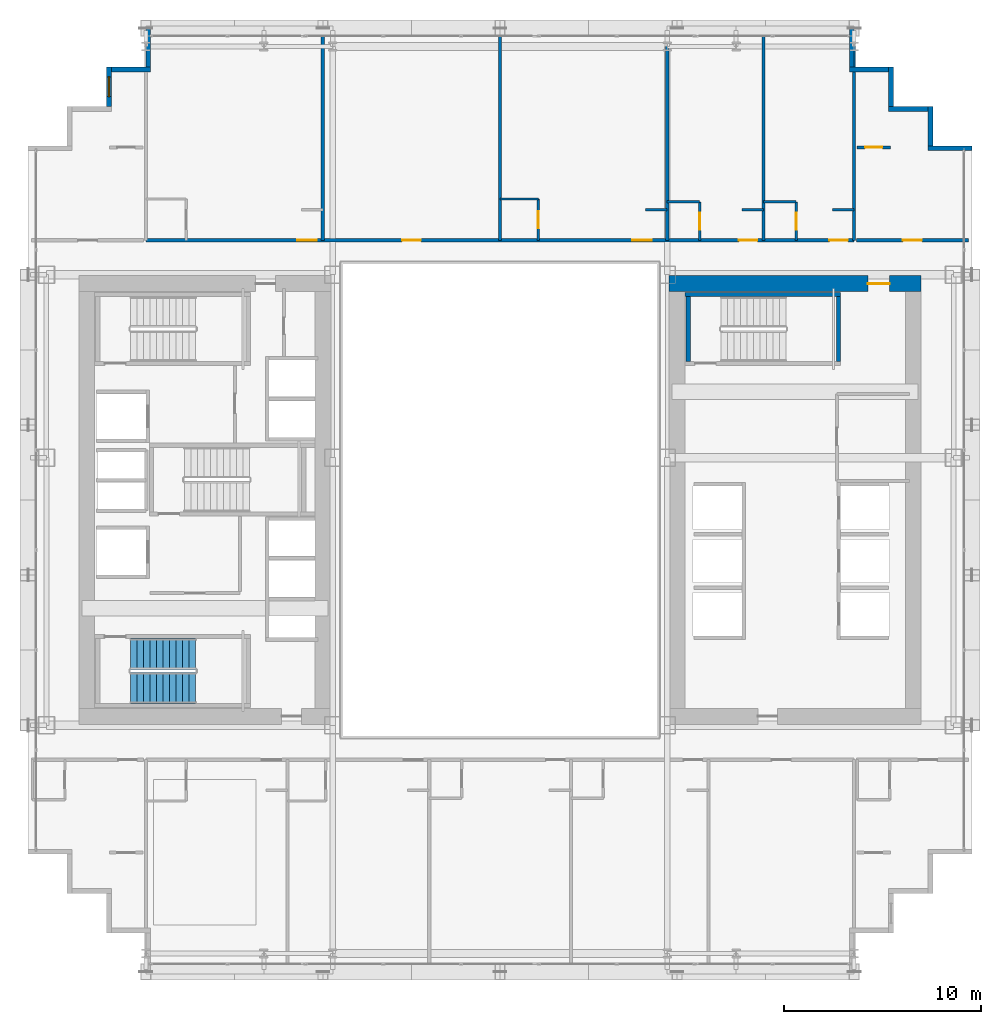
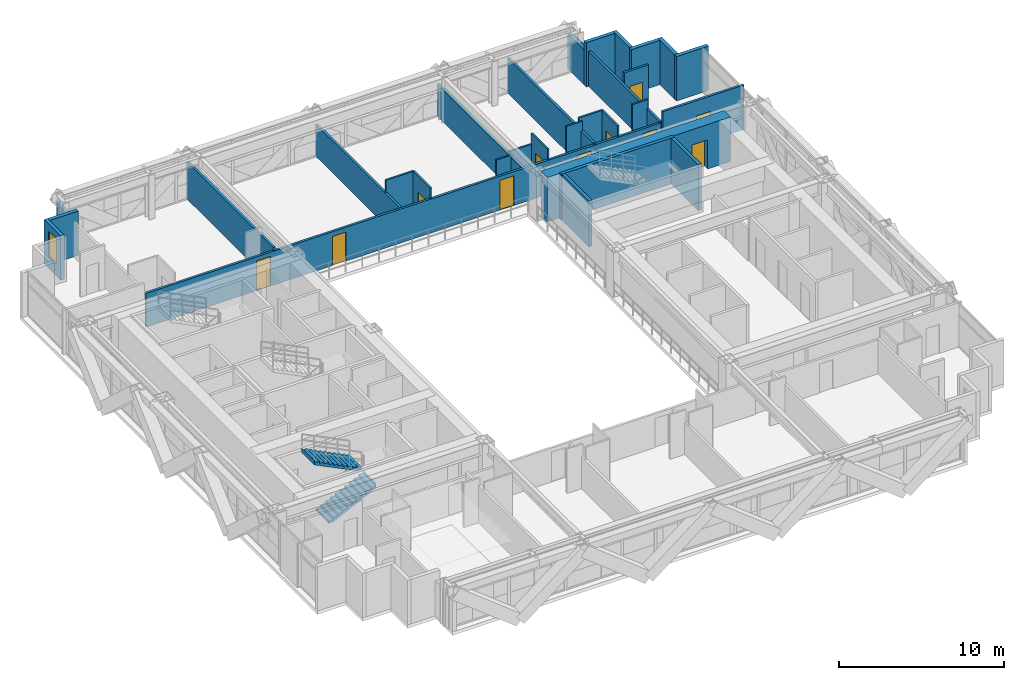
# One storey, part 30 of 35: 30 walls, 11 doors, 2 stair flights, 1 window, 12 openings, 1 element without a shape of its own.
"""IFC4 building model written with IfcOpenShell, lengths in metres."""

from ifc_helpers import new_model, si_unit, direction, frame, frame_2d, origin, place, context, subcontext, project, spatial, polyline, rectangle, outline, extrude, source, transform, mapped, material, layer, layer_set, type_object, element, fill, aggregate, save


model = new_model("IFC4")

# Units and contexts
model_context = context("Model", 3, precision=1e-05, world=origin(), true_north=direction((0.0, 1.0)))
body_context = subcontext(model_context, "Body", "Model", "MODEL_VIEW")
ifc_project = project(units=[si_unit("LENGTHUNIT", "METRE"), si_unit("AREAUNIT", "SQUARE_METRE"), si_unit("VOLUMEUNIT", "CUBIC_METRE"), si_unit("PLANEANGLEUNIT", "RADIAN"), si_unit("MASSUNIT", "GRAM", prefix="KILO")], contexts=[model_context])

# Site, building, storey
site_placement = place(None, origin())
site = spatial("IfcSite", under=ifc_project, at=site_placement, CompositionType="ELEMENT")
building_placement = place(site_placement, origin())
building = spatial("IfcBuilding", under=site, at=building_placement, Name="Ocotamira Hotel", CompositionType="ELEMENT")
storey_placement = place(building_placement, frame((0.0, 0.0, 81.60009765625)))
storey = spatial("IfcBuildingStorey", under=building, at=storey_placement, Name="L20", CompositionType="ELEMENT", Elevation=81.60009765625)

# Wall, opening, door
ifc_material_1 = material(Name="Concrete C60/75", Category="concrete")
ifc_layer_1 = layer(ifc_material_1, 0.800048828125)
ifc_layer_set_1 = layer_set([ifc_layer_1], Name="Concrete C60/75")
wall_type_1 = type_object("IfcWallType", Name="WL-CORE-800", PredefinedType="SHEAR", material=ifc_layer_set_1)
wall_1_placement = place(storey_placement, frame((40.60009765625, 37.0, 0.0), z_axis=(0.0, 0.0, 1.0), x_axis=(1.0, 0.0, 0.0)))
wall_1 = element("IfcWall", 1, at=wall_1_placement, inside=storey, type_object=wall_type_1, Name="L20 Shear Core Wall ECORE-N", PredefinedType="SHEAR", context=body_context, shape_type="SweptSolid", body=[
    extrude(rectangle(XDim=12.7998046875, YDim=0.800048828125, at=frame_2d((6.39990234375, 0.0))), origin(), (0.0, 0.0, 1.0), 3.27978515625),
])
opening_1_placement = place(wall_1_placement, frame((10.10009765625, 0.0, 0.0)))
opening_1 = element("IfcOpeningElement", 2, at=opening_1_placement, cuts=wall_1, Name="Opening D-FR1", PredefinedType="OPENING", context=body_context, shape_type="SweptSolid", body=[
    extrude(rectangle(XDim=1.10009765625, YDim=2.14990234375, at=frame_2d((0.550048828125, 1.074951171875))), frame((0.0, 0.41015625, 0.0), z_axis=(0.0, -1.0, 0.0), x_axis=(1.0, 0.0, 0.0)), (0.0, 0.0, 1.0), 0.820068359375),
])
ifc_material_2 = material(Name="Fire-rated acoustic timber-veneer door", Category="wood")
door_type_1 = type_object("IfcDoorType", Name="DR-FIRE-1100", OperationType="NOTDEFINED", PredefinedType="DOOR", material=ifc_material_2)
shared_shape_1 = source(origin(), body_context, "Body", "SweptSolid", [
    extrude(rectangle(XDim=1.10009765625, YDim=2.14990234375, at=frame_2d((0.550048828125, 1.074951171875))), frame((0.0, 0.02490234375, 0.0), z_axis=(0.0, -1.0, 0.0), x_axis=(1.0, 0.0, 0.0)), (0.0, 0.0, 1.0), 0.050048828125),
])
door_1_placement = place(opening_1_placement, origin())
door_1 = element("IfcDoor", 3, at=door_1_placement, inside=storey, type_object=door_type_1, Name="L20 Door ID-L20-ELOB-N-D [ID-L20-ELOB-N-D]", OperationType="SINGLE_SWING_LEFT", OverallHeight=2.14990234375, OverallWidth=1.10009765625, PredefinedType="DOOR", context=body_context, shape_type="MappedRepresentation", body=[
    mapped(shared_shape_1, transform((0.0, 0.0, 0.0), scale=1.0)),
])
fill(opening_1, door_1)

# Walls
ifc_material_3 = material(Name="Precast concrete C45/55", Category="concrete")
ifc_layer_2 = layer(ifc_material_3, 0.25)
ifc_layer_set_2 = layer_set([ifc_layer_2], Name="Precast concrete C45/55")
wall_type_2 = type_object("IfcWallType", Name="WL-EXT-SER-250", PredefinedType="SOLIDWALL", material=ifc_layer_set_2)
wall_2_placement = place(storey_placement, frame((56.0, 43.875, 0.0), z_axis=(0.0, 0.0, 1.0), x_axis=(-1.0, 0.0, 0.0)))
element("IfcWall", 4, at=wall_2_placement, inside=storey, type_object=wall_type_2, Name="L20 Serrated Corner Wall 07", PredefinedType="SOLIDWALL", context=body_context, shape_type="SweptSolid", body=[
    extrude(rectangle(XDim=2.25, YDim=0.25, at=frame_2d((1.125, 0.0))), origin(), (0.0, 0.0, 1.0), 3.27978515625),
])
for number, where, z_axis, x_axis, name in (
    (5, (53.875, 44.0, 0.0), (0.0, 0.0, 1.0), (0.0, 1.0, 0.0), "L20 Serrated Corner Wall 08"),
    (6, (53.75, 45.875, 0.0), (0.0, 0.0, 1.0), (-1.0, 0.0, 0.0), "L20 Serrated Corner Wall 09"),
    (7, (51.875, 46.0, 0.0), (0.0, 0.0, 1.0), (0.0, 1.0, 0.0), "L20 Serrated Corner Wall 10"),
    (8, (51.75, 47.875, 0.0), (0.0, 0.0, 1.0), (-1.0, 0.0, 0.0), "L20 Serrated Corner Wall 11"),
):
    element("IfcWall", number, at=place(storey_placement, frame(where, z_axis=z_axis, x_axis=x_axis)), inside=storey, type_object=wall_type_2, Name=name, PredefinedType="SOLIDWALL", context=body_context, shape_type="SweptSolid", body=[
        extrude(rectangle(XDim=2.0, YDim=0.25, at=frame_2d((1.0, 0.0))), origin(), (0.0, 0.0, 1.0), 3.27978515625),
    ])
for number, where, z_axis, x_axis, name in (
    (9, (49.875, 48.0, 0.0), (0.0, 0.0, 1.0), (0.0, 1.0, 0.0), "L20 Serrated Corner Wall 12"),
    (10, (14.125, 50.0, 0.0), (0.0, 0.0, 1.0), (0.0, -1.0, 0.0), "L20 Serrated Corner Wall 13"),
):
    element("IfcWall", number, at=place(storey_placement, frame(where, z_axis=z_axis, x_axis=x_axis)), inside=storey, type_object=wall_type_2, Name=name, PredefinedType="SOLIDWALL", context=body_context, shape_type="SweptSolid", body=[
        extrude(rectangle(XDim=2.0, YDim=0.25, at=frame_2d((1.0, 0.0))), origin(), (0.0, 0.0, 1.0), 2.5869140625),
    ])
wall_3_placement = place(storey_placement, frame((14.25, 47.875, 0.0), z_axis=(0.0, 0.0, 1.0), x_axis=(-1.0, 0.0, 0.0)))
element("IfcWall", 11, at=wall_3_placement, inside=storey, type_object=wall_type_2, Name="L20 Serrated Corner Wall 14", PredefinedType="SOLIDWALL", context=body_context, shape_type="SweptSolid", body=[
    extrude(rectangle(XDim=2.0, YDim=0.25, at=frame_2d((1.0, 0.0))), origin(), (0.0, 0.0, 1.0), 3.27978515625),
])

# Wall, opening, window
wall_4_placement = place(storey_placement, frame((12.125, 48.0, 0.0), z_axis=(0.0, 0.0, 1.0), x_axis=(0.0, -1.0, 0.0)))
wall_4 = element("IfcWall", 12, at=wall_4_placement, inside=storey, type_object=wall_type_2, Name="L20 Serrated Corner Wall 15", PredefinedType="SOLIDWALL", context=body_context, shape_type="SweptSolid", body=[
    extrude(rectangle(XDim=2.0, YDim=0.25, at=frame_2d((1.0, 0.0))), origin(), (0.0, 0.0, 1.0), 3.27978515625),
])
opening_2_placement = place(wall_4_placement, frame((0.5, 0.0, 0.85009765625)))
opening_2 = element("IfcOpeningElement", 13, at=opening_2_placement, cuts=wall_4, Name="Opening WN-2", PredefinedType="OPENING", context=body_context, shape_type="SweptSolid", body=[
    extrude(rectangle(XDim=1.0, YDim=1.89990234375, at=frame_2d((0.5, 0.949951171875))), frame((0.0, 0.135009765625, 0.0), z_axis=(0.0, -1.0, 0.0), x_axis=(1.0, 0.0, 0.0)), (0.0, 0.0, 1.0), 0.27001953125),
])
ifc_material_4 = material(Name="Double-silver low-E solar glass", Category="glass")
window_type = type_object("IfcWindowType", Name="WIN-SER-1100", PartitioningType="SINGLE_PANEL", PredefinedType="WINDOW", material=ifc_material_4)
shared_shape_2 = source(origin(), body_context, "Body", "SweptSolid", [
    extrude(rectangle(XDim=1.0, YDim=1.89990234375, at=frame_2d((0.5, 0.949951171875))), frame((0.0, 0.030029296875, 0.0), z_axis=(0.0, -1.0, 0.0), x_axis=(1.0, 0.0, 0.0)), (0.0, 0.0, 1.0), 0.06005859375),
])
window_placement = place(opening_2_placement, origin())
window = element("IfcWindow", 14, at=window_placement, inside=storey, type_object=window_type, Name="L20 Serrated Corner Window 15", OverallHeight=1.89990234375, OverallWidth=1.0, PartitioningType="SINGLE_PANEL", PredefinedType="WINDOW", context=body_context, shape_type="MappedRepresentation", body=[
    mapped(shared_shape_2, transform((0.0, 0.0, 0.0), scale=1.0)),
])
fill(opening_2, window)

# Wall, opening, door
ifc_material_5 = material(Name="Acoustic double-layer fire gypsum board partition", Category="gypsum")
ifc_layer_3 = layer(ifc_material_5, 0.159912109375)
ifc_layer_set_3 = layer_set([ifc_layer_3], Name="Acoustic double-layer fire gypsum board partition")
wall_type_3 = type_object("IfcWallType", Name="WL-FIRE-160", PredefinedType="PARTITIONING", material=ifc_layer_set_3)
wall_5_placement = place(storey_placement, frame((50.1201171875, 39.199951171875, 0.0), z_axis=(0.0, 0.0, 1.0), x_axis=(1.0, 0.0, 0.0)))
wall_5 = element("IfcWall", 15, at=wall_5_placement, inside=storey, type_object=wall_type_3, Name="L20 Interior Wall PW-L20-Z1E-CNE-CW", PredefinedType="PARTITIONING", context=body_context, shape_type="SweptSolid", body=[
    extrude(rectangle(XDim=5.679931640625, YDim=0.159912109375, at=frame_2d((2.83984375, 0.0))), origin(), (0.0, 0.0, 1.0), 3.27978515625),
])
opening_3_placement = place(wall_5_placement, frame((2.360107421875, 0.0, 0.0)))
opening_3 = element("IfcOpeningElement", 16, at=opening_3_placement, cuts=wall_5, Name="Opening D-SV4", PredefinedType="OPENING", context=body_context, shape_type="SweptSolid", body=[
    extrude(rectangle(XDim=0.9599609375, YDim=2.14990234375, at=frame_2d((0.47998046875, 1.074951171875))), frame((0.0, 0.08984375, 0.0), z_axis=(0.0, -1.0, 0.0), x_axis=(1.0, 0.0, 0.0)), (0.0, 0.0, 1.0), 0.179931640625),
])
ifc_material_6 = material(Name="Fire-rated accessible walnut salon door", Category="wood")
door_type_2 = type_object("IfcDoorType", Name="DR-SERV-960", OperationType="NOTDEFINED", PredefinedType="DOOR", material=ifc_material_6)
shared_shape_3 = source(origin(), body_context, "Body", "SweptSolid", [
    extrude(rectangle(XDim=0.9599609375, YDim=2.14990234375, at=frame_2d((0.47998046875, 1.074951171875))), frame((0.0, 0.02490234375, 0.0), z_axis=(0.0, -1.0, 0.0), x_axis=(1.0, 0.0, 0.0)), (0.0, 0.0, 1.0), 0.050048828125),
])
door_2_placement = place(opening_3_placement, origin())
door_2 = element("IfcDoor", 17, at=door_2_placement, inside=storey, type_object=door_type_2, Name="L20 Door ID-L20-Z1E-CNE-CD [ID-L20-Z1E-CNE-CD]", OperationType="SINGLE_SWING_LEFT", OverallHeight=2.14990234375, OverallWidth=0.9599609375, PredefinedType="DOOR", context=body_context, shape_type="MappedRepresentation", body=[
    mapped(shared_shape_3, transform((0.0, 0.0, 0.0), scale=1.0)),
])
fill(opening_3, door_2)

wall_6_placement = place(storey_placement, frame((50.14990234375, 43.919921875, 0.0), z_axis=(0.0, 0.0, 1.0), x_axis=(1.0, 0.0, 0.0)))
wall_6 = element("IfcWall", 18, at=wall_6_placement, inside=storey, type_object=wall_type_3, Name="L20 Interior Wall PW-L20-Z1E-CNE2-CW", PredefinedType="PARTITIONING", context=body_context, shape_type="SweptSolid", body=[
    extrude(rectangle(XDim=1.7001953125, YDim=0.159912109375, at=frame_2d((0.85009765625, 0.0))), origin(), (0.0, 0.0, 1.0), 3.27978515625),
])
opening_4_placement = place(wall_6_placement, frame((0.409912109375, 0.0, 0.0)))
opening_4 = element("IfcOpeningElement", 19, at=opening_4_placement, cuts=wall_6, Name="Opening D-SV2", PredefinedType="OPENING", context=body_context, shape_type="SweptSolid", body=[
    extrude(rectangle(XDim=0.8798828125, YDim=2.14990234375, at=frame_2d((0.43994140625, 1.074951171875))), frame((0.0, 0.08984375, 0.0), z_axis=(0.0, -1.0, 0.0), x_axis=(1.0, 0.0, 0.0)), (0.0, 0.0, 1.0), 0.179931640625),
])
ifc_material_7 = material(Name="Fire-rated painted steel service door", Category="steel")
door_type_3 = type_object("IfcDoorType", Name="DR-SERV-880", OperationType="NOTDEFINED", PredefinedType="DOOR", material=ifc_material_7)
shared_shape_4 = source(origin(), body_context, "Body", "SweptSolid", [
    extrude(rectangle(XDim=0.8798828125, YDim=2.14990234375, at=frame_2d((0.43994140625, 1.074951171875))), frame((0.0, 0.02490234375, 0.0), z_axis=(0.0, -1.0, 0.0), x_axis=(1.0, 0.0, 0.0)), (0.0, 0.0, 1.0), 0.050048828125),
])
door_3_placement = place(opening_4_placement, origin())
door_3 = element("IfcDoor", 20, at=door_3_placement, inside=storey, type_object=door_type_3, Name="L20 Door ID-L20-Z1E-CNE2-CD [ID-L20-Z1E-CNE2-CD]", OperationType="SINGLE_SWING_LEFT", OverallHeight=2.14990234375, OverallWidth=0.8798828125, PredefinedType="DOOR", context=body_context, shape_type="MappedRepresentation", body=[
    mapped(shared_shape_4, transform((0.0, 0.0, 0.0), scale=1.0)),
])
fill(opening_4, door_3)

# Wall, openings, doors
wall_7_placement = place(storey_placement, frame((14.0, 39.199951171875, 0.0), z_axis=(0.0, 0.0, 1.0), x_axis=(1.0, 0.0, 0.0)))
wall_7 = element("IfcWall", 21, at=wall_7_placement, inside=storey, type_object=wall_type_3, Name="L20 Interior Wall PW-L20-Z1EN-CORRW", PredefinedType="PARTITIONING", context=body_context, shape_type="SweptSolid", body=[
    extrude(rectangle(XDim=36.0, YDim=0.159912109375, at=frame_2d((18.0, 0.0))), origin(), (0.0, 0.0, 1.0), 2.5009765625),
])
opening_5_placement = place(wall_7_placement, frame((7.699951171875, 0.0, 0.0)))
opening_5 = element("IfcOpeningElement", 22, at=opening_5_placement, cuts=wall_7, Name="Opening D-GR2", PredefinedType="OPENING", context=body_context, shape_type="SweptSolid", body=[
    extrude(rectangle(XDim=0.97998046875, YDim=2.199951171875, at=frame_2d((0.489990234375, 1.10009765625))), frame((0.0, 0.08984375, 0.0), z_axis=(0.0, -1.0, 0.0), x_axis=(1.0, 0.0, 0.0)), (0.0, 0.0, 1.0), 0.179931640625),
])
opening_6_placement = place(wall_7_placement, frame((13.02001953125, 0.0, 0.0)))
opening_6 = element("IfcOpeningElement", 23, at=opening_6_placement, cuts=wall_7, Name="Opening D-SV4", PredefinedType="OPENING", context=body_context, shape_type="SweptSolid", body=[
    extrude(rectangle(XDim=0.9599609375, YDim=2.14990234375, at=frame_2d((0.47998046875, 1.074951171875))), frame((0.0, 0.08984375, 0.0), z_axis=(0.0, -1.0, 0.0), x_axis=(1.0, 0.0, 0.0)), (0.0, 0.0, 1.0), 0.179931640625),
])
opening_7_placement = place(wall_7_placement, frame((24.719970703125, 0.0, 0.0)))
opening_7 = element("IfcOpeningElement", 24, at=opening_7_placement, cuts=wall_7, Name="Opening D-GR2", PredefinedType="OPENING", context=body_context, shape_type="SweptSolid", body=[
    extrude(rectangle(XDim=0.97998046875, YDim=2.199951171875, at=frame_2d((0.489990234375, 1.10009765625))), frame((0.0, 0.08984375, 0.0), z_axis=(0.0, -1.0, 0.0), x_axis=(1.0, 0.0, 0.0)), (0.0, 0.0, 1.0), 0.179931640625),
])
opening_8_placement = place(wall_7_placement, frame((30.139892578125, 0.0, 0.0)))
opening_8 = element("IfcOpeningElement", 25, at=opening_8_placement, cuts=wall_7, Name="Opening D-GR1", PredefinedType="OPENING", context=body_context, shape_type="SweptSolid", body=[
    extrude(rectangle(XDim=0.93994140625, YDim=2.14990234375, at=frame_2d((0.469970703125, 1.074951171875))), frame((0.0, 0.08984375, 0.0), z_axis=(0.0, -1.0, 0.0), x_axis=(1.0, 0.0, 0.0)), (0.0, 0.0, 1.0), 0.179931640625),
])
opening_9_placement = place(wall_7_placement, frame((34.739990234375, 0.0, 0.0)))
opening_9 = element("IfcOpeningElement", 26, at=opening_9_placement, cuts=wall_7, Name="Opening D-GR1", PredefinedType="OPENING", context=body_context, shape_type="SweptSolid", body=[
    extrude(rectangle(XDim=0.93994140625, YDim=2.14990234375, at=frame_2d((0.469970703125, 1.074951171875))), frame((0.0, 0.08984375, 0.0), z_axis=(0.0, -1.0, 0.0), x_axis=(1.0, 0.0, 0.0)), (0.0, 0.0, 1.0), 0.179931640625),
])
door_4_placement = place(opening_6_placement, origin())
door_4 = element("IfcDoor", 27, at=door_4_placement, inside=storey, type_object=door_type_2, Name="L20 Door ID-L20-Z1EN-AMD2 [ID-L20-Z1EN-AMD2]", OperationType="SINGLE_SWING_RIGHT", OverallHeight=2.14990234375, OverallWidth=0.9599609375, PredefinedType="DOOR", context=body_context, shape_type="MappedRepresentation", body=[
    mapped(shared_shape_3, transform((0.0, 0.0, 0.0), scale=1.0)),
])
fill(opening_6, door_4)
ifc_material_8 = material(Name="Solid-core walnut suite entrance fire door", Category="wood")
door_type_4 = type_object("IfcDoorType", Name="DR-GUEST-940", OperationType="NOTDEFINED", PredefinedType="DOOR", material=ifc_material_8)
shared_shape_5 = source(origin(), body_context, "Body", "SweptSolid", [
    extrude(rectangle(XDim=0.93994140625, YDim=2.14990234375, at=frame_2d((0.469970703125, 1.074951171875))), frame((0.0, 0.02490234375, 0.0), z_axis=(0.0, -1.0, 0.0), x_axis=(1.0, 0.0, 0.0)), (0.0, 0.0, 1.0), 0.050048828125),
])
door_5_placement = place(opening_8_placement, origin())
door_5 = element("IfcDoor", 28, at=door_5_placement, inside=storey, type_object=door_type_4, Name="L20 Door ID-L20-Z1EN-RMD4 [ID-L20-Z1EN-RMD4]", OperationType="SINGLE_SWING_RIGHT", OverallHeight=2.14990234375, OverallWidth=0.93994140625, PredefinedType="DOOR", context=body_context, shape_type="MappedRepresentation", body=[
    mapped(shared_shape_5, transform((0.0, 0.0, 0.0), scale=1.0)),
])
fill(opening_8, door_5)
door_6_placement = place(opening_9_placement, origin())
door_6 = element("IfcDoor", 29, at=door_6_placement, inside=storey, type_object=door_type_4, Name="L20 Door ID-L20-Z1EN-RMD5 [ID-L20-Z1EN-RMD5]", OperationType="SINGLE_SWING_LEFT", OverallHeight=2.14990234375, OverallWidth=0.93994140625, PredefinedType="DOOR", context=body_context, shape_type="MappedRepresentation", body=[
    mapped(shared_shape_5, transform((0.0, 0.0, 0.0), scale=1.0)),
])
fill(opening_9, door_6)
ifc_material_9 = material(Name="Solid-core walnut grand-suite entrance fire door", Category="wood")
door_type_5 = type_object("IfcDoorType", Name="DR-GUEST-980", OperationType="NOTDEFINED", PredefinedType="DOOR", material=ifc_material_9)
shared_shape_6 = source(origin(), body_context, "Body", "SweptSolid", [
    extrude(rectangle(XDim=0.97998046875, YDim=2.199951171875, at=frame_2d((0.489990234375, 1.10009765625))), frame((0.0, 0.02490234375, 0.0), z_axis=(0.0, -1.0, 0.0), x_axis=(1.0, 0.0, 0.0)), (0.0, 0.0, 1.0), 0.050048828125),
])
door_7_placement = place(opening_5_placement, origin())
door_7 = element("IfcDoor", 30, at=door_7_placement, inside=storey, type_object=door_type_5, Name="L20 Door ID-L20-Z1EN-RMD1 [ID-L20-Z1EN-RMD1]", OperationType="SINGLE_SWING_LEFT", OverallHeight=2.199951171875, OverallWidth=0.97998046875, PredefinedType="DOOR", context=body_context, shape_type="MappedRepresentation", body=[
    mapped(shared_shape_6, transform((0.0, 0.0, 0.0), scale=1.0)),
])
fill(opening_5, door_7)
door_8_placement = place(opening_7_placement, origin())
door_8 = element("IfcDoor", 31, at=door_8_placement, inside=storey, type_object=door_type_5, Name="L20 Door ID-L20-Z1EN-RMD3 [ID-L20-Z1EN-RMD3]", OperationType="SINGLE_SWING_LEFT", OverallHeight=2.199951171875, OverallWidth=0.97998046875, PredefinedType="DOOR", context=body_context, shape_type="MappedRepresentation", body=[
    mapped(shared_shape_6, transform((0.0, 0.0, 0.0), scale=1.0)),
])
fill(opening_7, door_8)

# Wall, opening, door
ifc_material_10 = material(Name="Moisture-resistant en-suite tile and gypsum partition", Category="gypsum")
ifc_layer_4 = layer(ifc_material_10, 0.1201171875)
ifc_layer_set_4 = layer_set([ifc_layer_4], Name="Moisture-resistant en-suite tile and gypsum partition")
wall_type_4 = type_object("IfcWallType", Name="WL-PART-120", PredefinedType="PARTITIONING", material=ifc_layer_set_4)
wall_8_placement = place(storey_placement, frame((33.949951171875, 39.199951171875, 0.0), z_axis=(0.0, 0.0, 1.0), x_axis=(0.0, 1.0, 0.0)))
wall_8 = element("IfcWall", 32, at=wall_8_placement, inside=storey, type_object=wall_type_4, Name="L20 Interior Wall PW-L20-Z1EN-BAE3", PredefinedType="PARTITIONING", context=body_context, shape_type="SweptSolid", body=[
    extrude(rectangle(XDim=2.10009765625, YDim=0.1201171875, at=frame_2d((1.050048828125, 0.0))), origin(), (0.0, 0.0, 1.0), 3.27978515625),
])
opening_10_placement = place(wall_8_placement, frame((0.6201171875, 0.0, 0.0)))
opening_10 = element("IfcOpeningElement", 33, at=opening_10_placement, cuts=wall_8, Name="Opening D-BA1", PredefinedType="OPENING", context=body_context, shape_type="SweptSolid", body=[
    extrude(rectangle(XDim=0.860107421875, YDim=2.10009765625, at=frame_2d((0.43017578125, 1.050048828125))), frame((0.0, 0.070068359375, 0.0), z_axis=(0.0, -1.0, 0.0), x_axis=(1.0, 0.0, 0.0)), (0.0, 0.0, 1.0), 0.14013671875),
])
ifc_material_11 = material(Name="Moisture-sealed en-suite timber door", Category="wood")
door_type_6 = type_object("IfcDoorType", Name="DR-BATH-860", OperationType="NOTDEFINED", PredefinedType="DOOR", material=ifc_material_11)
shared_shape_7 = source(origin(), body_context, "Body", "SweptSolid", [
    extrude(rectangle(XDim=0.860107421875, YDim=2.10009765625, at=frame_2d((0.43017578125, 1.050048828125))), frame((0.0, 0.02490234375, 0.0), z_axis=(0.0, -1.0, 0.0), x_axis=(1.0, 0.0, 0.0)), (0.0, 0.0, 1.0), 0.050048828125),
])
door_9_placement = place(opening_10_placement, origin())
door_9 = element("IfcDoor", 34, at=door_9_placement, inside=storey, type_object=door_type_6, Name="L20 Door ID-L20-Z1EN-BAD3 [ID-L20-Z1EN-BAD3]", OperationType="SINGLE_SWING_RIGHT", OverallHeight=2.10009765625, OverallWidth=0.860107421875, PredefinedType="DOOR", context=body_context, shape_type="MappedRepresentation", body=[
    mapped(shared_shape_7, transform((0.0, 0.0, 0.0), scale=1.0)),
])
fill(opening_10, door_9)

# Walls
wall_9_placement = place(storey_placement, frame((32.0, 41.300048828125, 0.0), z_axis=(0.0, 0.0, 1.0), x_axis=(1.0, 0.0, 0.0)))
element("IfcWall", 35, at=wall_9_placement, inside=storey, type_object=wall_type_4, Name="L20 Interior Wall PW-L20-Z1EN-BAN3", PredefinedType="PARTITIONING", context=body_context, shape_type="SweptSolid", body=[
    extrude(rectangle(XDim=1.949951171875, YDim=0.1201171875, at=frame_2d((0.97509765625, 0.0))), origin(), (0.0, 0.0, 1.0), 3.27978515625),
])
wall_10_placement = place(storey_placement, frame((39.39990234375, 40.75, 0.0), z_axis=(0.0, 0.0, 1.0), x_axis=(1.0, 0.0, 0.0)))
element("IfcWall", 36, at=wall_10_placement, inside=storey, type_object=wall_type_4, Name="L20 Interior Wall PW-L20-Z1EN-DRN3", PredefinedType="PARTITIONING", context=body_context, shape_type="SweptSolid", body=[
    extrude(rectangle(XDim=1.10009765625, YDim=0.1201171875, at=frame_2d((0.550048828125, 0.0))), origin(), (0.0, 0.0, 1.0), 2.5009765625),
])

# Wall, opening, door
wall_11_placement = place(storey_placement, frame((42.14990234375, 39.199951171875, 0.0), z_axis=(0.0, 0.0, 1.0), x_axis=(0.0, 1.0, 0.0)))
wall_11 = element("IfcWall", 37, at=wall_11_placement, inside=storey, type_object=wall_type_4, Name="L20 Interior Wall PW-L20-Z1EN-BAE4", PredefinedType="PARTITIONING", context=body_context, shape_type="SweptSolid", body=[
    extrude(rectangle(XDim=1.949951171875, YDim=0.1201171875, at=frame_2d((0.97509765625, 0.0))), origin(), (0.0, 0.0, 1.0), 3.27978515625),
])
opening_11_placement = place(wall_11_placement, frame((0.544921875, 0.0, 0.0)))
opening_11 = element("IfcOpeningElement", 38, at=opening_11_placement, cuts=wall_11, Name="Opening D-BA1", PredefinedType="OPENING", context=body_context, shape_type="SweptSolid", body=[
    extrude(rectangle(XDim=0.860107421875, YDim=2.10009765625, at=frame_2d((0.43017578125, 1.050048828125))), frame((0.0, 0.070068359375, 0.0), z_axis=(0.0, -1.0, 0.0), x_axis=(1.0, 0.0, 0.0)), (0.0, 0.0, 1.0), 0.14013671875),
])
door_10_placement = place(opening_11_placement, origin())
door_10 = element("IfcDoor", 39, at=door_10_placement, inside=storey, type_object=door_type_6, Name="L20 Door ID-L20-Z1EN-BAD4 [ID-L20-Z1EN-BAD4]", OperationType="SINGLE_SWING_LEFT", OverallHeight=2.10009765625, OverallWidth=0.860107421875, PredefinedType="DOOR", context=body_context, shape_type="MappedRepresentation", body=[
    mapped(shared_shape_7, transform((0.0, 0.0, 0.0), scale=1.0)),
])
fill(opening_11, door_10)

# Walls
wall_12_placement = place(storey_placement, frame((40.5, 41.14990234375, 0.0), z_axis=(0.0, 0.0, 1.0), x_axis=(1.0, 0.0, 0.0)))
element("IfcWall", 40, at=wall_12_placement, inside=storey, type_object=wall_type_4, Name="L20 Interior Wall PW-L20-Z1EN-BAN4", PredefinedType="PARTITIONING", context=body_context, shape_type="SweptSolid", body=[
    extrude(rectangle(XDim=1.64990234375, YDim=0.1201171875, at=frame_2d((0.824951171875, 0.0))), origin(), (0.0, 0.0, 1.0), 2.5009765625),
])
wall_13_placement = place(storey_placement, frame((44.300048828125, 40.75, 0.0), z_axis=(0.0, 0.0, 1.0), x_axis=(1.0, 0.0, 0.0)))
element("IfcWall", 41, at=wall_13_placement, inside=storey, type_object=wall_type_4, Name="L20 Interior Wall PW-L20-Z1EN-DRN4", PredefinedType="PARTITIONING", context=body_context, shape_type="SweptSolid", body=[
    extrude(rectangle(XDim=1.099853515625, YDim=0.1201171875, at=frame_2d((0.5498046875, 0.0))), origin(), (0.0, 0.0, 1.0), 3.27978515625),
])

# Wall, opening, door
wall_14_placement = place(storey_placement, frame((47.050048828125, 39.199951171875, 0.0), z_axis=(0.0, 0.0, 1.0), x_axis=(0.0, 1.0, 0.0)))
wall_14 = element("IfcWall", 42, at=wall_14_placement, inside=storey, type_object=wall_type_4, Name="L20 Interior Wall PW-L20-Z1EN-BAE5", PredefinedType="PARTITIONING", context=body_context, shape_type="SweptSolid", body=[
    extrude(rectangle(XDim=1.949951171875, YDim=0.1201171875, at=frame_2d((0.97509765625, 0.0))), origin(), (0.0, 0.0, 1.0), 3.27978515625),
])
opening_12_placement = place(wall_14_placement, frame((0.544921875, 0.0, 0.0)))
opening_12 = element("IfcOpeningElement", 43, at=opening_12_placement, cuts=wall_14, Name="Opening D-BA1", PredefinedType="OPENING", context=body_context, shape_type="SweptSolid", body=[
    extrude(rectangle(XDim=0.860107421875, YDim=2.10009765625, at=frame_2d((0.43017578125, 1.050048828125))), frame((0.0, 0.070068359375, 0.0), z_axis=(0.0, -1.0, 0.0), x_axis=(1.0, 0.0, 0.0)), (0.0, 0.0, 1.0), 0.14013671875),
])
door_11_placement = place(opening_12_placement, origin())
door_11 = element("IfcDoor", 44, at=door_11_placement, inside=storey, type_object=door_type_6, Name="L20 Door ID-L20-Z1EN-BAD5 [ID-L20-Z1EN-BAD5]", OperationType="SINGLE_SWING_RIGHT", OverallHeight=2.10009765625, OverallWidth=0.860107421875, PredefinedType="DOOR", context=body_context, shape_type="MappedRepresentation", body=[
    mapped(shared_shape_7, transform((0.0, 0.0, 0.0), scale=1.0)),
])
fill(opening_12, door_11)

# Walls
wall_15_placement = place(storey_placement, frame((45.39990234375, 41.14990234375, 0.0), z_axis=(0.0, 0.0, 1.0), x_axis=(1.0, 0.0, 0.0)))
element("IfcWall", 45, at=wall_15_placement, inside=storey, type_object=wall_type_4, Name="L20 Interior Wall PW-L20-Z1EN-BAN5", PredefinedType="PARTITIONING", context=body_context, shape_type="SweptSolid", body=[
    extrude(rectangle(XDim=1.650146484375, YDim=0.1201171875, at=frame_2d((0.8251953125, 0.0))), origin(), (0.0, 0.0, 1.0), 3.27978515625),
])
wall_16_placement = place(storey_placement, frame((48.89990234375, 40.75, 0.0), z_axis=(0.0, 0.0, 1.0), x_axis=(1.0, 0.0, 0.0)))
element("IfcWall", 46, at=wall_16_placement, inside=storey, type_object=wall_type_4, Name="L20 Interior Wall PW-L20-Z1EN-DRN5", PredefinedType="PARTITIONING", context=body_context, shape_type="SweptSolid", body=[
    extrude(rectangle(XDim=1.10009765625, YDim=0.1201171875, at=frame_2d((0.550048828125, 0.0))), origin(), (0.0, 0.0, 1.0), 3.27978515625),
])
ifc_material_12 = material(Name="Acoustic double-stud hospitality gypsum partition", Category="gypsum")
ifc_layer_5 = layer(ifc_material_12, 0.159912109375)
ifc_layer_set_5 = layer_set([ifc_layer_5], Name="Acoustic double-stud hospitality gypsum partition")
wall_type_5 = type_object("IfcWallType", Name="WL-PART-160", PredefinedType="PARTITIONING", material=ifc_layer_set_5)
wall_17_placement = place(storey_placement, frame((50.0, 39.199951171875, 0.0), z_axis=(0.0, 0.0, 1.0), x_axis=(0.0, 1.0, 0.0)))
element("IfcWall", 47, at=wall_17_placement, inside=storey, type_object=wall_type_5, Name="L20 Interior Wall PW-L20-Z1EN-PWEND", PredefinedType="PARTITIONING", context=body_context, shape_type="SweptSolid", body=[
    extrude(rectangle(XDim=10.43994140625, YDim=0.159912109375, at=frame_2d((5.219970703125, 0.0))), origin(), (0.0, 0.0, 1.0), 2.5869140625),
])
wall_18_placement = place(storey_placement, frame((32.0, 39.199951171875, 0.0), z_axis=(0.0, 0.0, 1.0), x_axis=(0.0, 1.0, 0.0)))
element("IfcWall", 48, at=wall_18_placement, inside=storey, type_object=wall_type_5, Name="L20 Interior Wall PW-L20-Z1EN-PW2", PredefinedType="PARTITIONING", context=body_context, shape_type="SweptSolid", body=[
    extrude(rectangle(XDim=10.43994140625, YDim=0.159912109375, at=frame_2d((5.219970703125, 0.0))), origin(), (0.0, 0.0, 1.0), 2.35986328125),
])
wall_19_placement = place(storey_placement, frame((45.39990234375, 39.199951171875, 0.0), z_axis=(0.0, 0.0, 1.0), x_axis=(0.0, 1.0, 0.0)))
element("IfcWall", 49, at=wall_19_placement, inside=storey, type_object=wall_type_5, Name="L20 Interior Wall PW-L20-Z1EN-PW4", PredefinedType="PARTITIONING", context=body_context, shape_type="SweptSolid", body=[
    extrude(rectangle(XDim=10.43994140625, YDim=0.159912109375, at=frame_2d((5.219970703125, 0.0))), origin(), (0.0, 0.0, 1.0), 2.5869140625),
])
ifc_material_13 = material(Name="Double-stud suite party gypsum partition", Category="gypsum")
ifc_layer_6 = layer(ifc_material_13, 0.175048828125)
ifc_layer_set_6 = layer_set([ifc_layer_6], Name="Double-stud suite party gypsum partition")
wall_type_6 = type_object("IfcWallType", Name="WL-PART-175", PredefinedType="PARTITIONING", material=ifc_layer_set_6)
wall_20_placement = place(storey_placement, frame((23.0, 39.199951171875, 0.0), z_axis=(0.0, 0.0, 1.0), x_axis=(0.0, 1.0, 0.0)))
element("IfcWall", 50, at=wall_20_placement, inside=storey, type_object=wall_type_6, Name="L20 Interior Wall PW-L20-Z1EN-PW1", PredefinedType="PARTITIONING", context=body_context, shape_type="SweptSolid", body=[
    extrude(rectangle(XDim=10.43994140625, YDim=0.175048828125, at=frame_2d((5.219970703125, 0.0))), origin(), (0.0, 0.0, 1.0), 2.742919921875),
])
wall_21_placement = place(storey_placement, frame((40.5, 39.199951171875, 0.0), z_axis=(0.0, 0.0, 1.0), x_axis=(0.0, 1.0, 0.0)))
element("IfcWall", 51, at=wall_21_placement, inside=storey, type_object=wall_type_6, Name="L20 Interior Wall PW-L20-Z1EN-PW3", PredefinedType="PARTITIONING", context=body_context, shape_type="SweptSolid", body=[
    extrude(rectangle(XDim=10.43994140625, YDim=0.175048828125, at=frame_2d((5.219970703125, 0.0))), origin(), (0.0, 0.0, 1.0), 2.35986328125),
])
ifc_material_14 = material(Name="Concrete C50/60", Category="concrete")
ifc_layer_7 = layer(ifc_material_14, 0.219970703125)
ifc_layer_set_7 = layer_set([ifc_layer_7], Name="Concrete C50/60")
wall_type_7 = type_object("IfcWallType", Name="WL-STAIR-220", PredefinedType="SHEAR", material=ifc_layer_set_7)
wall_22_placement = place(storey_placement, frame((41.39990234375, 36.43994140625, 0.0), z_axis=(0.0, 0.0, 1.0), x_axis=(1.0, 0.0, 0.0)))
element("IfcWall", 52, at=wall_22_placement, inside=storey, type_object=wall_type_7, Name="L20 Stair Shaft Structural Wall ST-4-N", PredefinedType="SHEAR", context=body_context, shape_type="SweptSolid", body=[
    extrude(rectangle(XDim=7.91015625, YDim=0.219970703125, at=frame_2d((3.955078125, 0.0))), origin(), (0.0, 0.0, 1.0), 3.39990234375),
])
for number, where, z_axis, x_axis, name in (
    (53, (41.56005859375, 33.050048828125, 0.0), (0.0, 0.0, 1.0), (0.0, 1.0, 0.0), "L20 Stair Shaft Structural Wall ST-4-W"),
    (54, (49.199951171875, 33.050048828125, 0.0), (0.0, 0.0, 1.0), (0.0, 1.0, 0.0), "L20 Stair Shaft Structural Wall ST-4-E"),
):
    element("IfcWall", number, at=place(storey_placement, frame(where, z_axis=z_axis, x_axis=x_axis)), inside=storey, type_object=wall_type_7, Name=name, PredefinedType="SHEAR", context=body_context, shape_type="SweptSolid", body=[
        extrude(rectangle(XDim=3.280029296875, YDim=0.219970703125, at=frame_2d((1.64013671875, 0.0))), origin(), (0.0, 0.0, 1.0), 3.39990234375),
    ])

# Stair, stair flights
ifc_material_15 = material(Name="Concrete C40/50", Category="concrete")
stair_type = type_object("IfcStairType", Name="ST-CORE-1560", PredefinedType="HALF_TURN_STAIR", material=ifc_material_15)
stair_placement = place(storey_placement, origin())
stair = element("IfcStair", 55, at=stair_placement, inside=storey, type_object=stair_type, Name="L20 Exit Stair ST-1", PredefinedType="HALF_TURN_STAIR")
stair_flight_type = type_object("IfcStairFlightType", Name="STF-CORE-1560", PredefinedType="STRAIGHT", material=ifc_material_15)
shared_shape_8 = source(origin(), body_context, "Body", "SweptSolid", [
    extrude(outline(polyline([(-0.00390625, 0.0), (-0.00390625, 0.16357421875), (0.330078125, 0.16357421875), (0.330078125, 0.327392578125), (0.659912109375, 0.327392578125), (0.659912109375, 0.490966796875), (0.989990234375, 0.490966796875), (0.989990234375, 0.654541015625), (1.320068359375, 0.654541015625), (1.320068359375, 0.818115234375), (1.64990234375, 0.818115234375), (1.64990234375, 0.98193359375), (1.97998046875, 0.98193359375), (1.97998046875, 1.1455078125), (2.31005859375, 1.1455078125), (2.31005859375, 1.30908203125), (2.639892578125, 1.30908203125), (2.639892578125, 1.47265625), (2.969970703125, 1.47265625), (2.969970703125, 1.636474609375), (3.300048828125, 1.636474609375), (3.300048828125, 1.800048828125), (3.303955078125, 1.800048828125), (3.303955078125, 1.468994140625), (0.33740234375, 0.0), (-0.00390625, 0.0)])), frame((0.0, 0.780029296875, 0.0), z_axis=(0.0, -1.0, 0.0), x_axis=(1.0, 0.0, 0.0)), (0.0, 0.0, 1.0), 1.56005859375),
])
stair_flight_1_placement = place(storey_placement, frame((13.22998046875, 16.449951171875, 0.0), z_axis=(0.0, 0.0, 1.0), x_axis=(1.0, 0.0, 0.0)))
stair_flight_1 = element("IfcStairFlight", 56, at=stair_flight_1_placement, type_object=stair_flight_type, Name="ST-1 flight 1", NumberOfRisers=11, NumberOfTreads=10, PredefinedType="STRAIGHT", RiserHeight=0.163636364, TreadLength=0.33, context=body_context, shape_type="MappedRepresentation", body=[
    mapped(shared_shape_8, transform((0.0, 0.0, 0.0), scale=1.0)),
])
stair_flight_2_placement = place(storey_placement, frame((16.530029296875, 18.169921875, 1.7998046875), z_axis=(0.0, 0.0, 1.0), x_axis=(-1.0, 0.0, 0.0)))
stair_flight_2 = element("IfcStairFlight", 57, at=stair_flight_2_placement, type_object=stair_flight_type, Name="ST-1 flight 2", NumberOfRisers=11, NumberOfTreads=10, PredefinedType="STRAIGHT", RiserHeight=0.163636364, TreadLength=0.33, context=body_context, shape_type="MappedRepresentation", body=[
    mapped(shared_shape_8, transform((0.0, 0.0, 0.0), scale=1.0)),
])
aggregate(stair, [stair_flight_1, stair_flight_2])

save(model, "model.ifc")
